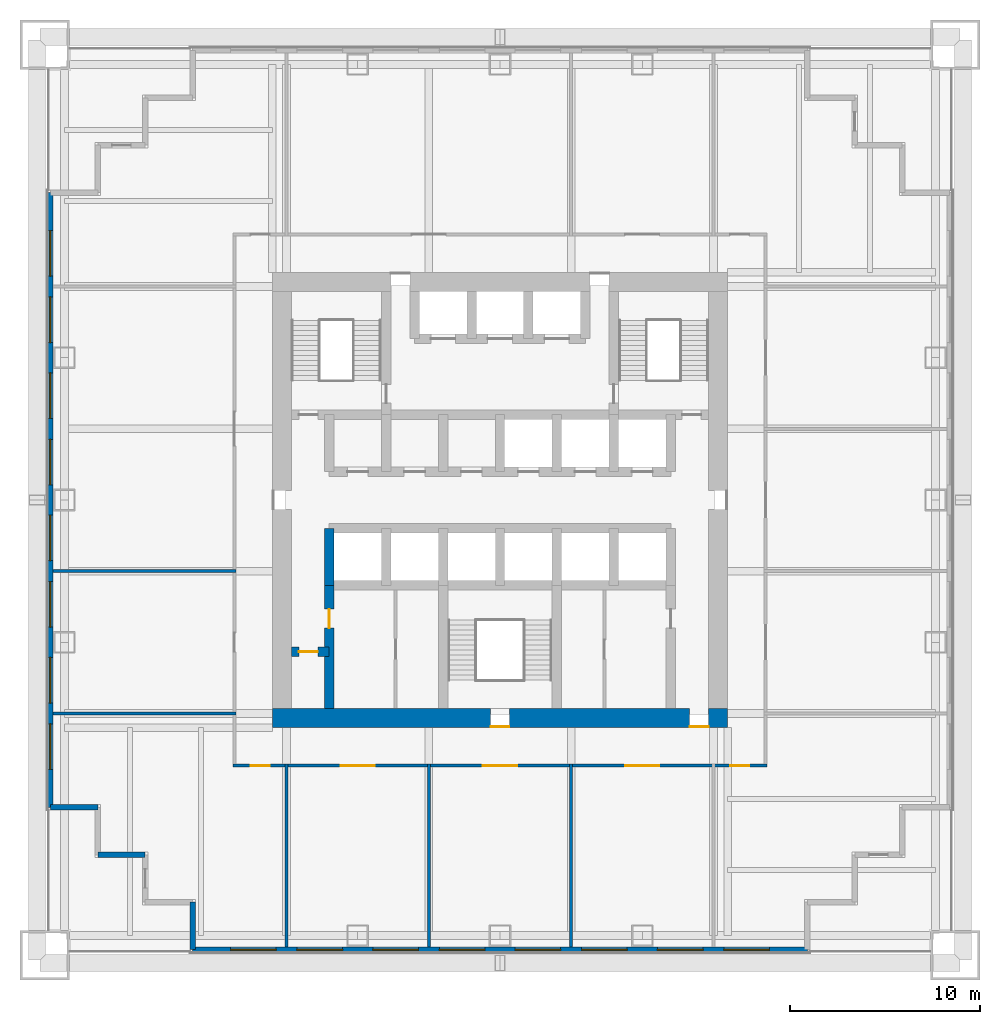
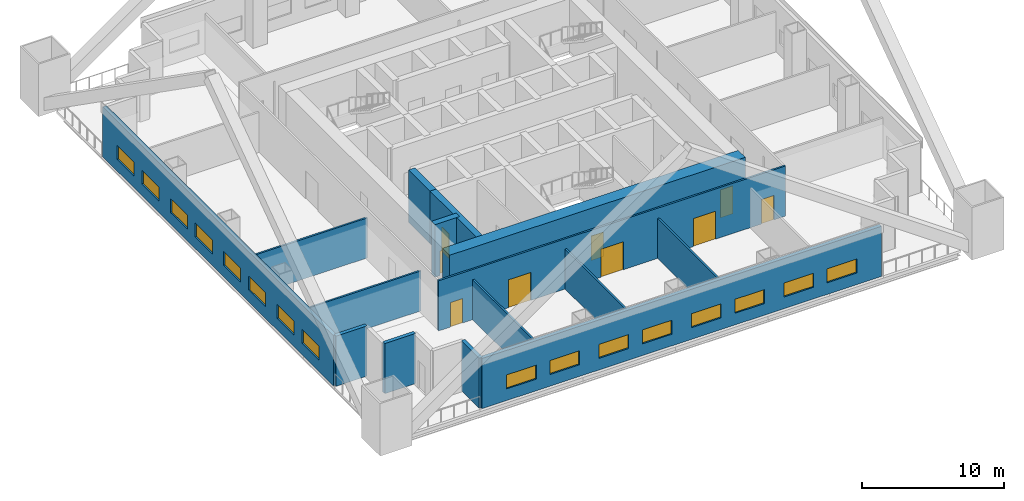
# One storey, part 2 of 6: 16 windows, 15 walls, 9 doors, 25 openings.
"""IFC4 building model written with IfcOpenShell, lengths in metres."""

from ifc_helpers import new_model, si_unit, direction, frame, frame_2d, origin, place, context, subcontext, project, spatial, rectangle, extrude, material, layer, layer_set, type_object, element, fill, save


model = new_model("IFC4")

# Units and contexts
model_context = context("Model", 3, precision=1e-05, world=origin(), true_north=direction((0.0, 1.0)))
body_context = subcontext(model_context, "Body", "Model", "MODEL_VIEW")
ifc_project = project(units=[si_unit("LENGTHUNIT", "METRE"), si_unit("AREAUNIT", "SQUARE_METRE"), si_unit("VOLUMEUNIT", "CUBIC_METRE"), si_unit("PLANEANGLEUNIT", "RADIAN"), si_unit("MASSUNIT", "GRAM", prefix="KILO")], contexts=[model_context])

# Site, building, storey
site_placement = place(None, origin())
site = spatial("IfcSite", under=ifc_project, at=site_placement, CompositionType="ELEMENT")
building_placement = place(site_placement, origin())
building = spatial("IfcBuilding", under=site, at=building_placement, Name="Tarangal Relay Tower", CompositionType="ELEMENT")
storey_placement = place(building_placement, frame((0.0, 0.0, 104.39990234375)))
storey = spatial("IfcBuildingStorey", under=building, at=storey_placement, Name="L20", CompositionType="ELEMENT", Elevation=104.39990234375)

# Wall, opening, door
ifc_material_1 = material(Name="Concrete fc' 60 MPa", Category="concrete")
ifc_layer_1 = layer(ifc_material_1, 0.5)
ifc_layer_set_1 = layer_set([ifc_layer_1], Name="Core inner wall 500")
wall_type_1 = type_object("IfcWallType", Name="Core inner wall 500", PredefinedType="SHEAR", material=ifc_layer_set_1)
wall_1_placement = place(storey_placement, frame((-11.0, -8.0, 0.0), z_axis=(0.0, 0.0, 1.0), x_axis=(1.0, 0.0, 0.0)))
wall_1 = element("IfcWall", 1, at=wall_1_placement, inside=storey, type_object=wall_type_1, Name="Core wall YM8 L20", PredefinedType="SHEAR", context=body_context, shape_type="SweptSolid", body=[
    extrude(rectangle(XDim=2.0, YDim=0.5, at=frame_2d((1.0, 0.0))), origin(), (0.0, 0.0, 1.0), 4.5),
])
opening_1_placement = place(wall_1_placement, frame((0.39990234375, 0.0, 0.0)))
opening_1 = element("IfcOpeningElement", 2, at=opening_1_placement, cuts=wall_1, Name="Opening D1", PredefinedType="OPENING", context=body_context, shape_type="SweptSolid", body=[
    extrude(rectangle(XDim=1.0, YDim=2.10009765625, at=frame_2d((0.5, 1.050048828125))), frame((0.0, 0.260009765625, 0.0), z_axis=(0.0, -1.0, 0.0), x_axis=(1.0, 0.0, 0.0)), (0.0, 0.0, 1.0), 0.52001953125),
])
ifc_material_2 = material(Name="Hardwood door", Category="wood")
door_type_1 = type_object("IfcDoorType", Name="WC door 1000 x 2100", OperationType="SINGLE_SWING_LEFT", PredefinedType="DOOR", material=ifc_material_2)
door_1_placement = place(opening_1_placement, origin())
door_1 = element("IfcDoor", 3, at=door_1_placement, inside=storey, type_object=door_type_1, Name="Accessible WC door L20", OperationType="SINGLE_SWING_LEFT", OverallHeight=2.10009765625, OverallWidth=1.0, PredefinedType="DOOR", context=body_context, shape_type="SweptSolid", body=[
    extrude(rectangle(XDim=1.0, YDim=2.10009765625, at=frame_2d((0.5, 1.050048828125))), frame((0.0, 0.02490234375, 0.0), z_axis=(0.0, -1.0, 0.0), x_axis=(1.0, 0.0, 0.0)), (0.0, 0.0, 1.0), 0.050048828125),
])
fill(opening_1, door_1)

# Wall
wall_2_placement = place(storey_placement, frame((-9.0, -4.5, 0.0), z_axis=(0.0, 0.0, 1.0), x_axis=(0.0, 1.0, 0.0)))
element("IfcWall", 4, at=wall_2_placement, inside=storey, type_object=wall_type_1, Name="Core wall XM9S L20", PredefinedType="SHEAR", context=body_context, shape_type="SweptSolid", body=[
    extrude(rectangle(XDim=3.0, YDim=0.5, at=frame_2d((1.5, 0.0))), origin(), (0.0, 0.0, 1.0), 4.5),
])

# Wall, opening, door
wall_3_placement = place(storey_placement, frame((-9.0, -11.0, 0.0), z_axis=(0.0, 0.0, 1.0), x_axis=(0.0, 1.0, 0.0)))
wall_3 = element("IfcWall", 5, at=wall_3_placement, inside=storey, type_object=wall_type_1, Name="Core wall XM9W L20", PredefinedType="SHEAR", context=body_context, shape_type="SweptSolid", body=[
    extrude(rectangle(XDim=6.5, YDim=0.5, at=frame_2d((3.25, 0.0))), origin(), (0.0, 0.0, 1.0), 4.5),
])
opening_2_placement = place(wall_3_placement, frame((4.25, 0.0, 0.0)))
opening_2 = element("IfcOpeningElement", 6, at=opening_2_placement, cuts=wall_3, Name="Opening D1", PredefinedType="OPENING", context=body_context, shape_type="SweptSolid", body=[
    extrude(rectangle(XDim=1.0, YDim=2.10009765625, at=frame_2d((0.5, 1.050048828125))), frame((0.0, 0.260009765625, 0.0), z_axis=(0.0, -1.0, 0.0), x_axis=(1.0, 0.0, 0.0)), (0.0, 0.0, 1.0), 0.52001953125),
])
door_2_placement = place(opening_2_placement, origin())
door_2 = element("IfcDoor", 7, at=door_2_placement, inside=storey, type_object=door_type_1, Name="Male WC door L20", OperationType="SINGLE_SWING_LEFT", OverallHeight=2.10009765625, OverallWidth=1.0, PredefinedType="DOOR", context=body_context, shape_type="SweptSolid", body=[
    extrude(rectangle(XDim=1.0, YDim=2.10009765625, at=frame_2d((0.5, 1.050048828125))), frame((0.0, 0.02490234375, 0.0), z_axis=(0.0, -1.0, 0.0), x_axis=(1.0, 0.0, 0.0)), (0.0, 0.0, 1.0), 0.050048828125),
])
fill(opening_2, door_2)

# Wall, openings, doors
ifc_layer_2 = layer(ifc_material_1, 1.0)
ifc_layer_set_2 = layer_set([ifc_layer_2], Name="Core wall 1000")
wall_type_2 = type_object("IfcWallType", Name="Core wall 1000", PredefinedType="SHEAR", material=ifc_layer_set_2)
wall_4_placement = place(storey_placement, frame((12.0, -11.5, 0.0), z_axis=(0.0, 0.0, 1.0), x_axis=(-1.0, 0.0, 0.0)))
wall_4 = element("IfcWall", 8, at=wall_4_placement, inside=storey, type_object=wall_type_2, Name="Core wall S L20", PredefinedType="SHEAR", context=body_context, shape_type="SweptSolid", body=[
    extrude(rectangle(XDim=24.0, YDim=1.0, at=frame_2d((12.0, 0.0))), origin(), (0.0, 0.0, 1.0), 4.5),
])
opening_3_placement = place(wall_4_placement, frame((11.5, 0.0, 0.0)))
opening_3 = element("IfcOpeningElement", 9, at=opening_3_placement, cuts=wall_4, Name="Opening FD1", PredefinedType="OPENING", context=body_context, shape_type="SweptSolid", body=[
    extrude(rectangle(XDim=1.0, YDim=2.10009765625, at=frame_2d((0.5, 1.050048828125))), frame((0.0, 0.510009765625, 0.0), z_axis=(0.0, -1.0, 0.0), x_axis=(1.0, 0.0, 0.0)), (0.0, 0.0, 1.0), 1.02001953125),
])
opening_4_placement = place(wall_4_placement, frame((1.0, 0.0, 0.0)))
opening_4 = element("IfcOpeningElement", 10, at=opening_4_placement, cuts=wall_4, Name="Opening FD3", PredefinedType="OPENING", context=body_context, shape_type="SweptSolid", body=[
    extrude(rectangle(XDim=1.0, YDim=2.39990234375, at=frame_2d((0.5, 1.199951171875))), frame((0.0, 0.510009765625, 0.0), z_axis=(0.0, -1.0, 0.0), x_axis=(1.0, 0.0, 0.0)), (0.0, 0.0, 1.0), 1.02001953125),
])
ifc_material_3 = material(Name="Steel door with hardwood frame", Category="steel")
door_type_2 = type_object("IfcDoorType", Name="Fire door 1000 x 2100", OperationType="SINGLE_SWING_LEFT", PredefinedType="DOOR", material=ifc_material_3)
door_3_placement = place(opening_3_placement, origin())
door_3 = element("IfcDoor", 11, at=door_3_placement, inside=storey, type_object=door_type_2, Name="Stair ST-C door L20", OperationType="SINGLE_SWING_LEFT", OverallHeight=2.10009765625, OverallWidth=1.0, PredefinedType="DOOR", context=body_context, shape_type="SweptSolid", body=[
    extrude(rectangle(XDim=1.0, YDim=2.10009765625, at=frame_2d((0.5, 1.050048828125))), frame((0.0, 0.48486328125, 0.0), z_axis=(0.0, -1.0, 0.0), x_axis=(1.0, 0.0, 0.0)), (0.0, 0.0, 1.0), 0.050048828125),
])
fill(opening_3, door_3)
door_type_3 = type_object("IfcDoorType", Name="Fire door 1000 x 2400 core entry", OperationType="SINGLE_SWING_RIGHT", PredefinedType="DOOR", material=ifc_material_3)
door_4_placement = place(opening_4_placement, origin())
door_4 = element("IfcDoor", 12, at=door_4_placement, inside=storey, type_object=door_type_3, Name="Core entry door south east L20", OperationType="SINGLE_SWING_RIGHT", OverallHeight=2.39990234375, OverallWidth=1.0, PredefinedType="DOOR", context=body_context, shape_type="SweptSolid", body=[
    extrude(rectangle(XDim=1.0, YDim=2.39990234375, at=frame_2d((0.5, 1.199951171875))), frame((0.0, 0.48486328125, 0.0), z_axis=(0.0, -1.0, 0.0), x_axis=(1.0, 0.0, 0.0)), (0.0, 0.0, 1.0), 0.050048828125),
])
fill(opening_4, door_4)

# Wall, openings, windows
ifc_material_4 = material(Name="Insulated precast concrete fc' 40 MPa", Category="concrete")
ifc_layer_3 = layer(ifc_material_4, 0.300048828125)
ifc_layer_set_3 = layer_set([ifc_layer_3], Name="Insulated precast concrete fc' 40 MPa")
wall_type_3 = type_object("IfcWallType", Name="Facade wall precast 300", PredefinedType="SOLIDWALL", material=ifc_layer_set_3)
wall_5_placement = place(storey_placement, frame((16.199951171875, -23.699951171875, 0.0), z_axis=(0.0, 0.0, 1.0), x_axis=(-1.0, 0.0, 0.0)))
wall_5 = element("IfcWall", 13, at=wall_5_placement, inside=storey, type_object=wall_type_3, Name="Facade wall S facade L20", PredefinedType="SOLIDWALL", context=body_context, shape_type="SweptSolid", body=[
    extrude(rectangle(XDim=32.39990234375, YDim=0.300048828125, at=frame_2d((16.199951171875, 0.0))), origin(), (0.0, 0.0, 1.0), 4.300048828125),
])
opening_5_placement = place(wall_5_placement, frame((2.0, 0.0, 1.0)))
opening_5 = element("IfcOpeningElement", 14, at=opening_5_placement, cuts=wall_5, Name="Opening WN1", PredefinedType="OPENING", context=body_context, shape_type="SweptSolid", body=[
    extrude(rectangle(XDim=2.39990234375, YDim=1.199951171875, at=frame_2d((1.199951171875, 0.60009765625))), frame((0.0, 0.159912109375, 0.0), z_axis=(0.0, -1.0, 0.0), x_axis=(1.0, 0.0, 0.0)), (0.0, 0.0, 1.0), 0.320068359375),
])
opening_6_placement = place(wall_5_placement, frame((5.5, 0.0, 1.0)))
opening_6 = element("IfcOpeningElement", 15, at=opening_6_placement, cuts=wall_5, Name="Opening WN1", PredefinedType="OPENING", context=body_context, shape_type="SweptSolid", body=[
    extrude(rectangle(XDim=2.39990234375, YDim=1.199951171875, at=frame_2d((1.199951171875, 0.60009765625))), frame((0.0, 0.159912109375, 0.0), z_axis=(0.0, -1.0, 0.0), x_axis=(1.0, 0.0, 0.0)), (0.0, 0.0, 1.0), 0.320068359375),
])
opening_7_placement = place(wall_5_placement, frame((9.5, 0.0, 1.0)))
opening_7 = element("IfcOpeningElement", 16, at=opening_7_placement, cuts=wall_5, Name="Opening WN1", PredefinedType="OPENING", context=body_context, shape_type="SweptSolid", body=[
    extrude(rectangle(XDim=2.39990234375, YDim=1.199951171875, at=frame_2d((1.199951171875, 0.60009765625))), frame((0.0, 0.159912109375, 0.0), z_axis=(0.0, -1.0, 0.0), x_axis=(1.0, 0.0, 0.0)), (0.0, 0.0, 1.0), 0.320068359375),
])
opening_8_placement = place(wall_5_placement, frame((13.0, 0.0, 1.0)))
opening_8 = element("IfcOpeningElement", 17, at=opening_8_placement, cuts=wall_5, Name="Opening WN1", PredefinedType="OPENING", context=body_context, shape_type="SweptSolid", body=[
    extrude(rectangle(XDim=2.39990234375, YDim=1.199951171875, at=frame_2d((1.199951171875, 0.60009765625))), frame((0.0, 0.159912109375, 0.0), z_axis=(0.0, -1.0, 0.0), x_axis=(1.0, 0.0, 0.0)), (0.0, 0.0, 1.0), 0.320068359375),
])
opening_9_placement = place(wall_5_placement, frame((17.0, 0.0, 1.0)))
opening_9 = element("IfcOpeningElement", 18, at=opening_9_placement, cuts=wall_5, Name="Opening WN1", PredefinedType="OPENING", context=body_context, shape_type="SweptSolid", body=[
    extrude(rectangle(XDim=2.39990234375, YDim=1.199951171875, at=frame_2d((1.199951171875, 0.60009765625))), frame((0.0, 0.159912109375, 0.0), z_axis=(0.0, -1.0, 0.0), x_axis=(1.0, 0.0, 0.0)), (0.0, 0.0, 1.0), 0.320068359375),
])
opening_10_placement = place(wall_5_placement, frame((20.5, 0.0, 1.0)))
opening_10 = element("IfcOpeningElement", 19, at=opening_10_placement, cuts=wall_5, Name="Opening WN1", PredefinedType="OPENING", context=body_context, shape_type="SweptSolid", body=[
    extrude(rectangle(XDim=2.39990234375, YDim=1.199951171875, at=frame_2d((1.199951171875, 0.60009765625))), frame((0.0, 0.159912109375, 0.0), z_axis=(0.0, -1.0, 0.0), x_axis=(1.0, 0.0, 0.0)), (0.0, 0.0, 1.0), 0.320068359375),
])
opening_11_placement = place(wall_5_placement, frame((24.5, 0.0, 1.0)))
opening_11 = element("IfcOpeningElement", 20, at=opening_11_placement, cuts=wall_5, Name="Opening WN1", PredefinedType="OPENING", context=body_context, shape_type="SweptSolid", body=[
    extrude(rectangle(XDim=2.39990234375, YDim=1.199951171875, at=frame_2d((1.199951171875, 0.60009765625))), frame((0.0, 0.159912109375, 0.0), z_axis=(0.0, -1.0, 0.0), x_axis=(1.0, 0.0, 0.0)), (0.0, 0.0, 1.0), 0.320068359375),
])
opening_12_placement = place(wall_5_placement, frame((28.0, 0.0, 1.0)))
opening_12 = element("IfcOpeningElement", 21, at=opening_12_placement, cuts=wall_5, Name="Opening WN1", PredefinedType="OPENING", context=body_context, shape_type="SweptSolid", body=[
    extrude(rectangle(XDim=2.39990234375, YDim=1.199951171875, at=frame_2d((1.199951171875, 0.60009765625))), frame((0.0, 0.159912109375, 0.0), z_axis=(0.0, -1.0, 0.0), x_axis=(1.0, 0.0, 0.0)), (0.0, 0.0, 1.0), 0.320068359375),
])
ifc_material_5 = material(Name="Dark tinted double glazing in black aluminium frame", Category="aluminium")
window_type = type_object("IfcWindowType", Name="Ribbon window 2400 x 1200", PartitioningType="SINGLE_PANEL", PredefinedType="WINDOW", material=ifc_material_5)
window_1_placement = place(opening_5_placement, origin())
window_1 = element("IfcWindow", 22, at=window_1_placement, inside=storey, type_object=window_type, Name="Ribbon window WN1 S facade L20", OverallHeight=1.199951171875, OverallWidth=2.39990234375, PartitioningType="SINGLE_PANEL", PredefinedType="WINDOW", context=body_context, shape_type="SweptSolid", body=[
    extrude(rectangle(XDim=2.39990234375, YDim=1.199951171875, at=frame_2d((1.199951171875, 0.60009765625))), frame((0.0, 0.030029296875, 0.0), z_axis=(0.0, -1.0, 0.0), x_axis=(1.0, 0.0, 0.0)), (0.0, 0.0, 1.0), 0.06005859375),
])
fill(opening_5, window_1)
window_2_placement = place(opening_6_placement, origin())
window_2 = element("IfcWindow", 23, at=window_2_placement, inside=storey, type_object=window_type, Name="Ribbon window WN1 S facade L20", OverallHeight=1.199951171875, OverallWidth=2.39990234375, PartitioningType="SINGLE_PANEL", PredefinedType="WINDOW", context=body_context, shape_type="SweptSolid", body=[
    extrude(rectangle(XDim=2.39990234375, YDim=1.199951171875, at=frame_2d((1.199951171875, 0.60009765625))), frame((0.0, 0.030029296875, 0.0), z_axis=(0.0, -1.0, 0.0), x_axis=(1.0, 0.0, 0.0)), (0.0, 0.0, 1.0), 0.06005859375),
])
fill(opening_6, window_2)
window_3_placement = place(opening_7_placement, origin())
window_3 = element("IfcWindow", 24, at=window_3_placement, inside=storey, type_object=window_type, Name="Ribbon window WN1 S facade L20", OverallHeight=1.199951171875, OverallWidth=2.39990234375, PartitioningType="SINGLE_PANEL", PredefinedType="WINDOW", context=body_context, shape_type="SweptSolid", body=[
    extrude(rectangle(XDim=2.39990234375, YDim=1.199951171875, at=frame_2d((1.199951171875, 0.60009765625))), frame((0.0, 0.030029296875, 0.0), z_axis=(0.0, -1.0, 0.0), x_axis=(1.0, 0.0, 0.0)), (0.0, 0.0, 1.0), 0.06005859375),
])
fill(opening_7, window_3)
window_4_placement = place(opening_8_placement, origin())
window_4 = element("IfcWindow", 25, at=window_4_placement, inside=storey, type_object=window_type, Name="Ribbon window WN1 S facade L20", OverallHeight=1.199951171875, OverallWidth=2.39990234375, PartitioningType="SINGLE_PANEL", PredefinedType="WINDOW", context=body_context, shape_type="SweptSolid", body=[
    extrude(rectangle(XDim=2.39990234375, YDim=1.199951171875, at=frame_2d((1.199951171875, 0.60009765625))), frame((0.0, 0.030029296875, 0.0), z_axis=(0.0, -1.0, 0.0), x_axis=(1.0, 0.0, 0.0)), (0.0, 0.0, 1.0), 0.06005859375),
])
fill(opening_8, window_4)
window_5_placement = place(opening_9_placement, origin())
window_5 = element("IfcWindow", 26, at=window_5_placement, inside=storey, type_object=window_type, Name="Ribbon window WN1 S facade L20", OverallHeight=1.199951171875, OverallWidth=2.39990234375, PartitioningType="SINGLE_PANEL", PredefinedType="WINDOW", context=body_context, shape_type="SweptSolid", body=[
    extrude(rectangle(XDim=2.39990234375, YDim=1.199951171875, at=frame_2d((1.199951171875, 0.60009765625))), frame((0.0, 0.030029296875, 0.0), z_axis=(0.0, -1.0, 0.0), x_axis=(1.0, 0.0, 0.0)), (0.0, 0.0, 1.0), 0.06005859375),
])
fill(opening_9, window_5)
window_6_placement = place(opening_10_placement, origin())
window_6 = element("IfcWindow", 27, at=window_6_placement, inside=storey, type_object=window_type, Name="Ribbon window WN1 S facade L20", OverallHeight=1.199951171875, OverallWidth=2.39990234375, PartitioningType="SINGLE_PANEL", PredefinedType="WINDOW", context=body_context, shape_type="SweptSolid", body=[
    extrude(rectangle(XDim=2.39990234375, YDim=1.199951171875, at=frame_2d((1.199951171875, 0.60009765625))), frame((0.0, 0.030029296875, 0.0), z_axis=(0.0, -1.0, 0.0), x_axis=(1.0, 0.0, 0.0)), (0.0, 0.0, 1.0), 0.06005859375),
])
fill(opening_10, window_6)
window_7_placement = place(opening_11_placement, origin())
window_7 = element("IfcWindow", 28, at=window_7_placement, inside=storey, type_object=window_type, Name="Ribbon window WN1 S facade L20", OverallHeight=1.199951171875, OverallWidth=2.39990234375, PartitioningType="SINGLE_PANEL", PredefinedType="WINDOW", context=body_context, shape_type="SweptSolid", body=[
    extrude(rectangle(XDim=2.39990234375, YDim=1.199951171875, at=frame_2d((1.199951171875, 0.60009765625))), frame((0.0, 0.030029296875, 0.0), z_axis=(0.0, -1.0, 0.0), x_axis=(1.0, 0.0, 0.0)), (0.0, 0.0, 1.0), 0.06005859375),
])
fill(opening_11, window_7)
window_8_placement = place(opening_12_placement, origin())
window_8 = element("IfcWindow", 29, at=window_8_placement, inside=storey, type_object=window_type, Name="Ribbon window WN1 S facade L20", OverallHeight=1.199951171875, OverallWidth=2.39990234375, PartitioningType="SINGLE_PANEL", PredefinedType="WINDOW", context=body_context, shape_type="SweptSolid", body=[
    extrude(rectangle(XDim=2.39990234375, YDim=1.199951171875, at=frame_2d((1.199951171875, 0.60009765625))), frame((0.0, 0.030029296875, 0.0), z_axis=(0.0, -1.0, 0.0), x_axis=(1.0, 0.0, 0.0)), (0.0, 0.0, 1.0), 0.06005859375),
])
fill(opening_12, window_8)

# Walls
for number, where, z_axis, x_axis, name in (
    (30, (-16.199951171875, -23.699951171875, 0.0), (0.0, 0.0, 1.0), (0.0, 1.0, 0.0), "Facade wall S facade L20"),
    (31, (-18.699951171875, -18.699951171875, 0.0), (0.0, 0.0, 1.0), (-1.0, 0.0, 0.0), "Facade wall S facade L20"),
    (32, (-21.199951171875, -16.199951171875, 0.0), (0.0, 0.0, 1.0), (-1.0, 0.0, 0.0), "Facade wall S facade L20"),
):
    element("IfcWall", number, at=place(storey_placement, frame(where, z_axis=z_axis, x_axis=x_axis)), inside=storey, type_object=wall_type_3, Name=name, PredefinedType="SOLIDWALL", context=body_context, shape_type="SweptSolid", body=[
        extrude(rectangle(XDim=2.5, YDim=0.300048828125, at=frame_2d((1.25, 0.0))), origin(), (0.0, 0.0, 1.0), 4.300048828125),
    ])

# Wall, openings, windows
wall_6_placement = place(storey_placement, frame((-23.699951171875, -16.199951171875, 0.0), z_axis=(0.0, 0.0, 1.0), x_axis=(0.0, 1.0, 0.0)))
wall_6 = element("IfcWall", 33, at=wall_6_placement, inside=storey, type_object=wall_type_3, Name="Facade wall W facade L20", PredefinedType="SOLIDWALL", context=body_context, shape_type="SweptSolid", body=[
    extrude(rectangle(XDim=32.39990234375, YDim=0.300048828125, at=frame_2d((16.199951171875, 0.0))), origin(), (0.0, 0.0, 1.0), 4.300048828125),
])
opening_13_placement = place(wall_6_placement, frame((2.0, 0.0, 1.0)))
opening_13 = element("IfcOpeningElement", 34, at=opening_13_placement, cuts=wall_6, Name="Opening WN1", PredefinedType="OPENING", context=body_context, shape_type="SweptSolid", body=[
    extrude(rectangle(XDim=2.39990234375, YDim=1.199951171875, at=frame_2d((1.199951171875, 0.60009765625))), frame((0.0, 0.159912109375, 0.0), z_axis=(0.0, -1.0, 0.0), x_axis=(1.0, 0.0, 0.0)), (0.0, 0.0, 1.0), 0.320068359375),
])
opening_14_placement = place(wall_6_placement, frame((5.5, 0.0, 1.0)))
opening_14 = element("IfcOpeningElement", 35, at=opening_14_placement, cuts=wall_6, Name="Opening WN1", PredefinedType="OPENING", context=body_context, shape_type="SweptSolid", body=[
    extrude(rectangle(XDim=2.39990234375, YDim=1.199951171875, at=frame_2d((1.199951171875, 0.60009765625))), frame((0.0, 0.159912109375, 0.0), z_axis=(0.0, -1.0, 0.0), x_axis=(1.0, 0.0, 0.0)), (0.0, 0.0, 1.0), 0.320068359375),
])
opening_15_placement = place(wall_6_placement, frame((9.5, 0.0, 1.0)))
opening_15 = element("IfcOpeningElement", 36, at=opening_15_placement, cuts=wall_6, Name="Opening WN1", PredefinedType="OPENING", context=body_context, shape_type="SweptSolid", body=[
    extrude(rectangle(XDim=2.39990234375, YDim=1.199951171875, at=frame_2d((1.199951171875, 0.60009765625))), frame((0.0, 0.159912109375, 0.0), z_axis=(0.0, -1.0, 0.0), x_axis=(1.0, 0.0, 0.0)), (0.0, 0.0, 1.0), 0.320068359375),
])
opening_16_placement = place(wall_6_placement, frame((13.0, 0.0, 1.0)))
opening_16 = element("IfcOpeningElement", 37, at=opening_16_placement, cuts=wall_6, Name="Opening WN1", PredefinedType="OPENING", context=body_context, shape_type="SweptSolid", body=[
    extrude(rectangle(XDim=2.39990234375, YDim=1.199951171875, at=frame_2d((1.199951171875, 0.60009765625))), frame((0.0, 0.159912109375, 0.0), z_axis=(0.0, -1.0, 0.0), x_axis=(1.0, 0.0, 0.0)), (0.0, 0.0, 1.0), 0.320068359375),
])
opening_17_placement = place(wall_6_placement, frame((17.0, 0.0, 1.0)))
opening_17 = element("IfcOpeningElement", 38, at=opening_17_placement, cuts=wall_6, Name="Opening WN1", PredefinedType="OPENING", context=body_context, shape_type="SweptSolid", body=[
    extrude(rectangle(XDim=2.39990234375, YDim=1.199951171875, at=frame_2d((1.199951171875, 0.60009765625))), frame((0.0, 0.159912109375, 0.0), z_axis=(0.0, -1.0, 0.0), x_axis=(1.0, 0.0, 0.0)), (0.0, 0.0, 1.0), 0.320068359375),
])
opening_18_placement = place(wall_6_placement, frame((20.5, 0.0, 1.0)))
opening_18 = element("IfcOpeningElement", 39, at=opening_18_placement, cuts=wall_6, Name="Opening WN1", PredefinedType="OPENING", context=body_context, shape_type="SweptSolid", body=[
    extrude(rectangle(XDim=2.39990234375, YDim=1.199951171875, at=frame_2d((1.199951171875, 0.60009765625))), frame((0.0, 0.159912109375, 0.0), z_axis=(0.0, -1.0, 0.0), x_axis=(1.0, 0.0, 0.0)), (0.0, 0.0, 1.0), 0.320068359375),
])
opening_19_placement = place(wall_6_placement, frame((24.5, 0.0, 1.0)))
opening_19 = element("IfcOpeningElement", 40, at=opening_19_placement, cuts=wall_6, Name="Opening WN1", PredefinedType="OPENING", context=body_context, shape_type="SweptSolid", body=[
    extrude(rectangle(XDim=2.39990234375, YDim=1.199951171875, at=frame_2d((1.199951171875, 0.60009765625))), frame((0.0, 0.159912109375, 0.0), z_axis=(0.0, -1.0, 0.0), x_axis=(1.0, 0.0, 0.0)), (0.0, 0.0, 1.0), 0.320068359375),
])
opening_20_placement = place(wall_6_placement, frame((28.0, 0.0, 1.0)))
opening_20 = element("IfcOpeningElement", 41, at=opening_20_placement, cuts=wall_6, Name="Opening WN1", PredefinedType="OPENING", context=body_context, shape_type="SweptSolid", body=[
    extrude(rectangle(XDim=2.39990234375, YDim=1.199951171875, at=frame_2d((1.199951171875, 0.60009765625))), frame((0.0, 0.159912109375, 0.0), z_axis=(0.0, -1.0, 0.0), x_axis=(1.0, 0.0, 0.0)), (0.0, 0.0, 1.0), 0.320068359375),
])
window_9_placement = place(opening_13_placement, origin())
window_9 = element("IfcWindow", 42, at=window_9_placement, inside=storey, type_object=window_type, Name="Ribbon window WN1 W facade L20", OverallHeight=1.199951171875, OverallWidth=2.39990234375, PartitioningType="SINGLE_PANEL", PredefinedType="WINDOW", context=body_context, shape_type="SweptSolid", body=[
    extrude(rectangle(XDim=2.39990234375, YDim=1.199951171875, at=frame_2d((1.199951171875, 0.60009765625))), frame((0.0, 0.030029296875, 0.0), z_axis=(0.0, -1.0, 0.0), x_axis=(1.0, 0.0, 0.0)), (0.0, 0.0, 1.0), 0.06005859375),
])
fill(opening_13, window_9)
window_10_placement = place(opening_14_placement, origin())
window_10 = element("IfcWindow", 43, at=window_10_placement, inside=storey, type_object=window_type, Name="Ribbon window WN1 W facade L20", OverallHeight=1.199951171875, OverallWidth=2.39990234375, PartitioningType="SINGLE_PANEL", PredefinedType="WINDOW", context=body_context, shape_type="SweptSolid", body=[
    extrude(rectangle(XDim=2.39990234375, YDim=1.199951171875, at=frame_2d((1.199951171875, 0.60009765625))), frame((0.0, 0.030029296875, 0.0), z_axis=(0.0, -1.0, 0.0), x_axis=(1.0, 0.0, 0.0)), (0.0, 0.0, 1.0), 0.06005859375),
])
fill(opening_14, window_10)
window_11_placement = place(opening_15_placement, origin())
window_11 = element("IfcWindow", 44, at=window_11_placement, inside=storey, type_object=window_type, Name="Ribbon window WN1 W facade L20", OverallHeight=1.199951171875, OverallWidth=2.39990234375, PartitioningType="SINGLE_PANEL", PredefinedType="WINDOW", context=body_context, shape_type="SweptSolid", body=[
    extrude(rectangle(XDim=2.39990234375, YDim=1.199951171875, at=frame_2d((1.199951171875, 0.60009765625))), frame((0.0, 0.030029296875, 0.0), z_axis=(0.0, -1.0, 0.0), x_axis=(1.0, 0.0, 0.0)), (0.0, 0.0, 1.0), 0.06005859375),
])
fill(opening_15, window_11)
window_12_placement = place(opening_16_placement, origin())
window_12 = element("IfcWindow", 45, at=window_12_placement, inside=storey, type_object=window_type, Name="Ribbon window WN1 W facade L20", OverallHeight=1.199951171875, OverallWidth=2.39990234375, PartitioningType="SINGLE_PANEL", PredefinedType="WINDOW", context=body_context, shape_type="SweptSolid", body=[
    extrude(rectangle(XDim=2.39990234375, YDim=1.199951171875, at=frame_2d((1.199951171875, 0.60009765625))), frame((0.0, 0.030029296875, 0.0), z_axis=(0.0, -1.0, 0.0), x_axis=(1.0, 0.0, 0.0)), (0.0, 0.0, 1.0), 0.06005859375),
])
fill(opening_16, window_12)
window_13_placement = place(opening_17_placement, origin())
window_13 = element("IfcWindow", 46, at=window_13_placement, inside=storey, type_object=window_type, Name="Ribbon window WN1 W facade L20", OverallHeight=1.199951171875, OverallWidth=2.39990234375, PartitioningType="SINGLE_PANEL", PredefinedType="WINDOW", context=body_context, shape_type="SweptSolid", body=[
    extrude(rectangle(XDim=2.39990234375, YDim=1.199951171875, at=frame_2d((1.199951171875, 0.60009765625))), frame((0.0, 0.030029296875, 0.0), z_axis=(0.0, -1.0, 0.0), x_axis=(1.0, 0.0, 0.0)), (0.0, 0.0, 1.0), 0.06005859375),
])
fill(opening_17, window_13)
window_14_placement = place(opening_18_placement, origin())
window_14 = element("IfcWindow", 47, at=window_14_placement, inside=storey, type_object=window_type, Name="Ribbon window WN1 W facade L20", OverallHeight=1.199951171875, OverallWidth=2.39990234375, PartitioningType="SINGLE_PANEL", PredefinedType="WINDOW", context=body_context, shape_type="SweptSolid", body=[
    extrude(rectangle(XDim=2.39990234375, YDim=1.199951171875, at=frame_2d((1.199951171875, 0.60009765625))), frame((0.0, 0.030029296875, 0.0), z_axis=(0.0, -1.0, 0.0), x_axis=(1.0, 0.0, 0.0)), (0.0, 0.0, 1.0), 0.06005859375),
])
fill(opening_18, window_14)
window_15_placement = place(opening_19_placement, origin())
window_15 = element("IfcWindow", 48, at=window_15_placement, inside=storey, type_object=window_type, Name="Ribbon window WN1 W facade L20", OverallHeight=1.199951171875, OverallWidth=2.39990234375, PartitioningType="SINGLE_PANEL", PredefinedType="WINDOW", context=body_context, shape_type="SweptSolid", body=[
    extrude(rectangle(XDim=2.39990234375, YDim=1.199951171875, at=frame_2d((1.199951171875, 0.60009765625))), frame((0.0, 0.030029296875, 0.0), z_axis=(0.0, -1.0, 0.0), x_axis=(1.0, 0.0, 0.0)), (0.0, 0.0, 1.0), 0.06005859375),
])
fill(opening_19, window_15)
window_16_placement = place(opening_20_placement, origin())
window_16 = element("IfcWindow", 49, at=window_16_placement, inside=storey, type_object=window_type, Name="Ribbon window WN1 W facade L20", OverallHeight=1.199951171875, OverallWidth=2.39990234375, PartitioningType="SINGLE_PANEL", PredefinedType="WINDOW", context=body_context, shape_type="SweptSolid", body=[
    extrude(rectangle(XDim=2.39990234375, YDim=1.199951171875, at=frame_2d((1.199951171875, 0.60009765625))), frame((0.0, 0.030029296875, 0.0), z_axis=(0.0, -1.0, 0.0), x_axis=(1.0, 0.0, 0.0)), (0.0, 0.0, 1.0), 0.06005859375),
])
fill(opening_20, window_16)

# Wall, openings, doors
ifc_material_6 = material(Name="Gypsum board on steel studs", Category="steel")
ifc_layer_4 = layer(ifc_material_6, 0.14990234375)
ifc_layer_set_4 = layer_set([ifc_layer_4], Name="Partition 150")
wall_type_4 = type_object("IfcWallType", Name="Partition 150", PredefinedType="PARTITIONING", material=ifc_layer_set_4)
wall_7_placement = place(storey_placement, frame((-14.074951171875, -14.0, 0.0), z_axis=(0.0, 0.0, 1.0), x_axis=(1.0, 0.0, 0.0)))
wall_7 = element("IfcWall", 50, at=wall_7_placement, inside=storey, type_object=wall_type_4, Name="Partition PT1 L20", PredefinedType="PARTITIONING", context=body_context, shape_type="SweptSolid", body=[
    extrude(rectangle(XDim=28.14990234375, YDim=0.14990234375, at=frame_2d((14.074951171875, 0.0))), origin(), (0.0, 0.0, 1.0), 4.300048828125),
])
opening_21_placement = place(wall_7_placement, frame((20.675048828125, 0.0, 0.0)))
opening_21 = element("IfcOpeningElement", 51, at=opening_21_placement, cuts=wall_7, Name="Opening DD1", PredefinedType="OPENING", context=body_context, shape_type="SweptSolid", body=[
    extrude(rectangle(XDim=1.800048828125, YDim=2.39990234375, at=frame_2d((0.89990234375, 1.199951171875))), frame((0.0, 0.0849609375, 0.0), z_axis=(0.0, -1.0, 0.0), x_axis=(1.0, 0.0, 0.0)), (0.0, 0.0, 1.0), 0.169921875),
])
opening_22_placement = place(wall_7_placement, frame((13.175048828125, 0.0, 0.0)))
opening_22 = element("IfcOpeningElement", 52, at=opening_22_placement, cuts=wall_7, Name="Opening DD1", PredefinedType="OPENING", context=body_context, shape_type="SweptSolid", body=[
    extrude(rectangle(XDim=1.800048828125, YDim=2.39990234375, at=frame_2d((0.89990234375, 1.199951171875))), frame((0.0, 0.0849609375, 0.0), z_axis=(0.0, -1.0, 0.0), x_axis=(1.0, 0.0, 0.0)), (0.0, 0.0, 1.0), 0.169921875),
])
opening_23_placement = place(wall_7_placement, frame((5.675048828125, 0.0, 0.0)))
opening_23 = element("IfcOpeningElement", 53, at=opening_23_placement, cuts=wall_7, Name="Opening DD1", PredefinedType="OPENING", context=body_context, shape_type="SweptSolid", body=[
    extrude(rectangle(XDim=1.800048828125, YDim=2.39990234375, at=frame_2d((0.89990234375, 1.199951171875))), frame((0.0, 0.0849609375, 0.0), z_axis=(0.0, -1.0, 0.0), x_axis=(1.0, 0.0, 0.0)), (0.0, 0.0, 1.0), 0.169921875),
])
opening_24_placement = place(wall_7_placement, frame((26.199951171875, 0.0, 0.0)))
opening_24 = element("IfcOpeningElement", 54, at=opening_24_placement, cuts=wall_7, Name="Opening D2", PredefinedType="OPENING", context=body_context, shape_type="SweptSolid", body=[
    extrude(rectangle(XDim=1.0, YDim=2.10009765625, at=frame_2d((0.5, 1.050048828125))), frame((0.0, 0.0849609375, 0.0), z_axis=(0.0, -1.0, 0.0), x_axis=(1.0, 0.0, 0.0)), (0.0, 0.0, 1.0), 0.169921875),
])
opening_25_placement = place(wall_7_placement, frame((0.949951171875, 0.0, 0.0)))
opening_25 = element("IfcOpeningElement", 55, at=opening_25_placement, cuts=wall_7, Name="Opening D2", PredefinedType="OPENING", context=body_context, shape_type="SweptSolid", body=[
    extrude(rectangle(XDim=1.0, YDim=2.10009765625, at=frame_2d((0.5, 1.050048828125))), frame((0.0, 0.0849609375, 0.0), z_axis=(0.0, -1.0, 0.0), x_axis=(1.0, 0.0, 0.0)), (0.0, 0.0, 1.0), 0.169921875),
])
door_type_4 = type_object("IfcDoorType", Name="Door 1000 x 2100", OperationType="SINGLE_SWING_LEFT", PredefinedType="DOOR", material=ifc_material_2)
door_5_placement = place(opening_24_placement, origin())
door_5 = element("IfcDoor", 56, at=door_5_placement, inside=storey, type_object=door_type_4, Name="Door D2 to test lab L20-13", OperationType="SINGLE_SWING_LEFT", OverallHeight=2.10009765625, OverallWidth=1.0, PredefinedType="DOOR", context=body_context, shape_type="SweptSolid", body=[
    extrude(rectangle(XDim=1.0, YDim=2.10009765625, at=frame_2d((0.5, 1.050048828125))), frame((0.0, 0.02490234375, 0.0), z_axis=(0.0, -1.0, 0.0), x_axis=(1.0, 0.0, 0.0)), (0.0, 0.0, 1.0), 0.050048828125),
])
fill(opening_24, door_5)
door_6_placement = place(opening_25_placement, origin())
door_6 = element("IfcDoor", 57, at=door_6_placement, inside=storey, type_object=door_type_4, Name="Door D2 to engineering office L20-14", OperationType="SINGLE_SWING_LEFT", OverallHeight=2.10009765625, OverallWidth=1.0, PredefinedType="DOOR", context=body_context, shape_type="SweptSolid", body=[
    extrude(rectangle(XDim=1.0, YDim=2.10009765625, at=frame_2d((0.5, 1.050048828125))), frame((0.0, 0.02490234375, 0.0), z_axis=(0.0, -1.0, 0.0), x_axis=(1.0, 0.0, 0.0)), (0.0, 0.0, 1.0), 0.050048828125),
])
fill(opening_25, door_6)
door_type_5 = type_object("IfcDoorType", Name="Equipment double door 1800 x 2400", OperationType="DOUBLE_DOOR_SINGLE_SWING", PredefinedType="DOOR", material=ifc_material_3)
door_7_placement = place(opening_21_placement, origin())
door_7 = element("IfcDoor", 58, at=door_7_placement, inside=storey, type_object=door_type_5, Name="Door DD1 to rectifier and battery room L20-07", OperationType="DOUBLE_DOOR_SINGLE_SWING", OverallHeight=2.39990234375, OverallWidth=1.800048828125, PredefinedType="DOOR", context=body_context, shape_type="SweptSolid", body=[
    extrude(rectangle(XDim=1.800048828125, YDim=2.39990234375, at=frame_2d((0.89990234375, 1.199951171875))), frame((0.0, 0.02490234375, 0.0), z_axis=(0.0, -1.0, 0.0), x_axis=(1.0, 0.0, 0.0)), (0.0, 0.0, 1.0), 0.050048828125),
])
fill(opening_21, door_7)
door_8_placement = place(opening_22_placement, origin())
door_8 = element("IfcDoor", 59, at=door_8_placement, inside=storey, type_object=door_type_5, Name="Door DD1 to electrical room L20-08", OperationType="DOUBLE_DOOR_SINGLE_SWING", OverallHeight=2.39990234375, OverallWidth=1.800048828125, PredefinedType="DOOR", context=body_context, shape_type="SweptSolid", body=[
    extrude(rectangle(XDim=1.800048828125, YDim=2.39990234375, at=frame_2d((0.89990234375, 1.199951171875))), frame((0.0, 0.02490234375, 0.0), z_axis=(0.0, -1.0, 0.0), x_axis=(1.0, 0.0, 0.0)), (0.0, 0.0, 1.0), 0.050048828125),
])
fill(opening_22, door_8)
door_9_placement = place(opening_23_placement, origin())
door_9 = element("IfcDoor", 60, at=door_9_placement, inside=storey, type_object=door_type_5, Name="Door DD1 to fibre splice room L20-09", OperationType="DOUBLE_DOOR_SINGLE_SWING", OverallHeight=2.39990234375, OverallWidth=1.800048828125, PredefinedType="DOOR", context=body_context, shape_type="SweptSolid", body=[
    extrude(rectangle(XDim=1.800048828125, YDim=2.39990234375, at=frame_2d((0.89990234375, 1.199951171875))), frame((0.0, 0.02490234375, 0.0), z_axis=(0.0, -1.0, 0.0), x_axis=(1.0, 0.0, 0.0)), (0.0, 0.0, 1.0), 0.050048828125),
])
fill(opening_23, door_9)

# Walls
for number, where, z_axis, x_axis, name in (
    (61, (-23.550048828125, -11.25, 0.0), (0.0, 0.0, 1.0), (1.0, 0.0, 0.0), "Partition PT1 L20"),
    (62, (-23.550048828125, -3.75, 0.0), (0.0, 0.0, 1.0), (1.0, 0.0, 0.0), "Partition PT1 L20"),
    (63, (-11.25, -23.550048828125, 0.0), (0.0, 0.0, 1.0), (0.0, 1.0, 0.0), "Partition PT1 L20"),
    (64, (-3.75, -23.550048828125, 0.0), (0.0, 0.0, 1.0), (0.0, 1.0, 0.0), "Partition PT1 L20"),
    (65, (3.75, -23.550048828125, 0.0), (0.0, 0.0, 1.0), (0.0, 1.0, 0.0), "Partition PT1 L20"),
):
    element("IfcWall", number, at=place(storey_placement, frame(where, z_axis=z_axis, x_axis=x_axis)), inside=storey, type_object=wall_type_4, Name=name, PredefinedType="PARTITIONING", context=body_context, shape_type="SweptSolid", body=[
        extrude(rectangle(XDim=9.625, YDim=0.14990234375, at=frame_2d((4.8125, 0.0))), origin(), (0.0, 0.0, 1.0), 3.431396484375),
    ])

save(model, "model.ifc")
